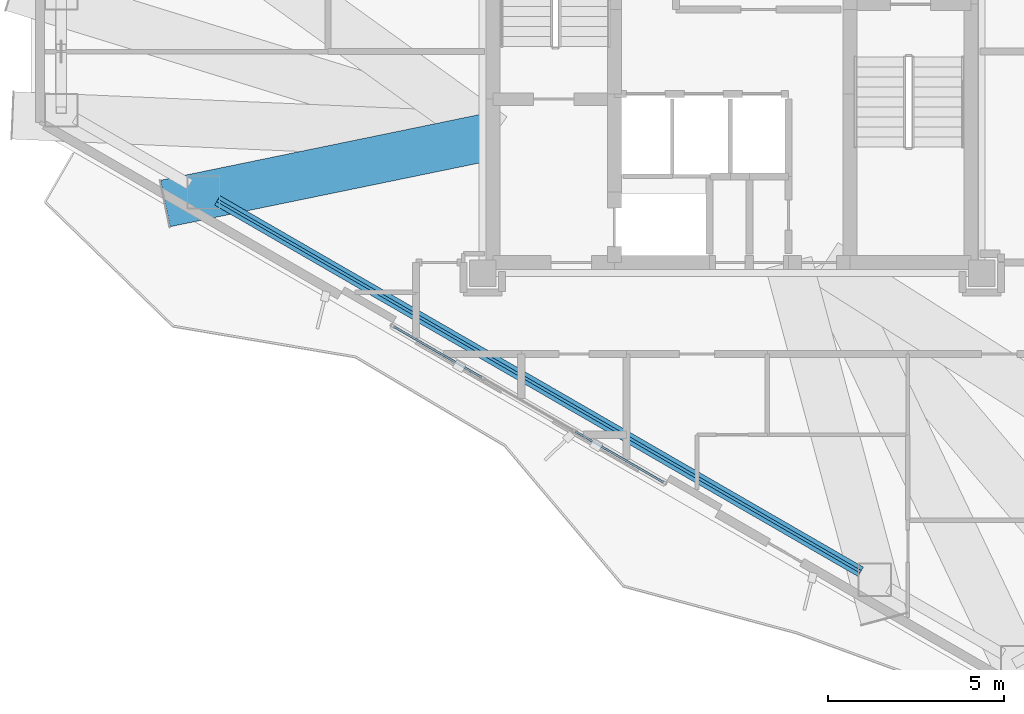
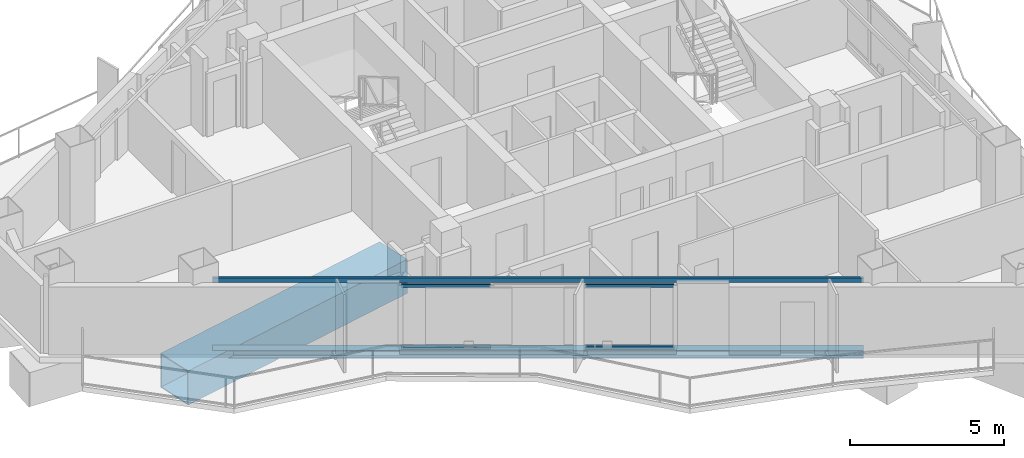
# One storey, part 3 of 19: 4 members, 3 beams, 1 element without a shape of its own.
"""IFC4 building model written with IfcOpenShell, lengths in metres."""

from ifc_helpers import new_model, si_unit, direction, frame, origin, origin_2d, place, context, subcontext, project, spatial, hollow_rectangle, i_section, extrude, material, layer, layer_set, material_profile, profile_set, type_object, element, aggregate, save


model = new_model("IFC4")

# Units and contexts
model_context = context("Model", 3, precision=1e-05, world=origin(), true_north=direction((0.0, 1.0)))
body_context = subcontext(model_context, "Body", "Model", "MODEL_VIEW")
ifc_project = project(units=[si_unit("LENGTHUNIT", "METRE"), si_unit("AREAUNIT", "SQUARE_METRE"), si_unit("VOLUMEUNIT", "CUBIC_METRE"), si_unit("PLANEANGLEUNIT", "RADIAN"), si_unit("MASSUNIT", "GRAM", prefix="KILO")], contexts=[model_context])

# Site, building, storey
site_placement = place(None, origin())
site = spatial("IfcSite", under=ifc_project, at=site_placement, CompositionType="ELEMENT")
building_placement = place(site_placement, origin())
building = spatial("IfcBuilding", under=site, at=building_placement, Name="Mersakhor Tower and Convention Hall", CompositionType="ELEMENT")
storey_placement = place(building_placement, frame((0.0, 0.0, 175.5)))
storey = spatial("IfcBuildingStorey", under=building, at=storey_placement, Name="L48", CompositionType="ELEMENT", Elevation=175.5)

# Beams
ifc_material_1 = material(Name="Steel S355", Category="steel")
ifc_material_profile_1 = material_profile(ifc_material_1, hollow_rectangle(XDim=0.080078125, YDim=0.179931640625, WallThickness=0.008056640625, at=origin_2d()), Name="RHS 180x80x8")
ifc_profile_set_1 = profile_set([ifc_material_profile_1], Name="Steel S355")
beam_type_1 = type_object("IfcBeamType", Name="BM-GRT-RHS180", PredefinedType="USERDEFINED", material=ifc_profile_set_1)
beam_1_placement = place(storey_placement, frame((32.65771484375, 11.949951171875, 2.47998046875), z_axis=(-0.866028813665, 0.499994093867, 0.0), x_axis=(-0.499994093867, -0.866028813665, 0.0)))
element("IfcBeam", 1, at=beam_1_placement, inside=storey, type_object=beam_type_1, Name="L48 Facade Support Girt GRT-F3", ObjectType="GIRT", PredefinedType="USERDEFINED", context=body_context, shape_type="SweptSolid", body=[
    extrude(hollow_rectangle(XDim=0.080078125, YDim=0.179931640625, WallThickness=0.008056640625, at=origin_2d()), origin(), (0.0, 0.0, 1.0), 21.135498046875),
])
ifc_material_2 = material(Name="Steel S355", Category="steel")
ifc_material_profile_2 = material_profile(ifc_material_2, i_section(OverallWidth=0.30908203125, OverallDepth=0.320556640625, WebThickness=0.013916015625, FlangeThickness=0.021728515625, at=origin_2d()), Name="UC 305x305x137")
ifc_profile_set_2 = profile_set([ifc_material_profile_2], Name="Steel S355")
beam_type_2 = type_object("IfcBeamType", Name="BM-SPD-UC305", PredefinedType="SPANDREL", material=ifc_profile_set_2)
beam_2_placement = place(storey_placement, frame((32.65771484375, 11.949951171875, -0.39013671875), z_axis=(-0.866028813665, 0.499994093867, 0.0), x_axis=(-0.499994093867, -0.866028813665, 0.0)))
element("IfcBeam", 2, at=beam_2_placement, inside=storey, type_object=beam_type_2, Name="L48 Perimeter Spandrel Beam SPB-10", PredefinedType="SPANDREL", context=body_context, shape_type="SweptSolid", body=[
    extrude(i_section(OverallWidth=0.30908203125, OverallDepth=0.320556640625, WebThickness=0.013916015625, FlangeThickness=0.021728515625, at=origin_2d()), origin(), (0.0, 0.0, 1.0), 21.135498046875),
])
ifc_material_3 = material(Name="Steel S460", Category="steel")
ifc_material_profile_3 = material_profile(ifc_material_3, hollow_rectangle(XDim=1.35009765625, YDim=1.35009765625, WallThickness=0.035888671875, at=origin_2d()), Name="SHS 1350x1350x36")
ifc_profile_set_3 = profile_set([ifc_material_profile_3], Name="Steel S460")
beam_type_3 = type_object("IfcBeamType", Name="BM-TR-BOX1350", PredefinedType="BEAM", material=ifc_profile_set_3)
beam_3_placement = place(storey_placement, frame((12.8740234375, 22.430419921875, -0.905029296875), z_axis=(0.979464639139, 0.201616022868, 0.0), x_axis=(-0.201616022868, 0.979464639139, 0.0)))
element("IfcBeam", 3, at=beam_3_placement, inside=storey, type_object=beam_type_3, Name="L48 Taper Step Transfer Girder STG-11", PredefinedType="BEAM", context=body_context, shape_type="SweptSolid", body=[
    extrude(hollow_rectangle(XDim=1.35009765625, YDim=1.35009765625, WallThickness=0.035888671875, at=origin_2d()), origin(), (0.0, 0.0, 1.0), 9.521484375),
])

# Curtain wall, members
ifc_material_4 = material(Name="Dark solar low-E aluminium curtain wall", Category="aluminium")
ifc_layer = layer(ifc_material_4, 0.169921875)
ifc_layer_set = layer_set([ifc_layer], Name="Dark solar low-E aluminium curtain wall")
curtain_wall_type = type_object("IfcCurtainWallType", Name="CW-SYS-02", PredefinedType="USERDEFINED", material=ifc_layer_set)
curtain_wall_placement = place(storey_placement, origin())
curtain_wall = element("IfcCurtainWall", 4, at=curtain_wall_placement, inside=storey, type_object=curtain_wall_type, Name="L48 Dark-Glass Curtain Wall F3-B2", ObjectType="CURTAIN WALL", PredefinedType="USERDEFINED")
ifc_material_5 = material(Name="Anodised aluminium EN AW-6063 T6", Category="aluminium")
ifc_material_profile_4 = material_profile(ifc_material_5, hollow_rectangle(XDim=0.06005859375, YDim=0.1201171875, WallThickness=0.0048828125, at=origin_2d()), Name="RHS 120x60x5")
ifc_profile_set_4 = profile_set([ifc_material_profile_4], Name="Anodised aluminium EN AW-6063 T6")
member_type = type_object("IfcMemberType", Name="CWT-120x60", PredefinedType="USERDEFINED", material=ifc_profile_set_4)
member_1_placement = place(storey_placement, frame((27.037353515625, 14.501953125, 0.22998046875), z_axis=(-0.86601237176, 0.50002257145, 0.0), x_axis=(-0.50002257145, -0.86601237176, 0.0)))
member_1 = element("IfcMember", 5, at=member_1_placement, type_object=member_type, Name="CW-02 transom 1.1", ObjectType="TRANSOM", PredefinedType="USERDEFINED", context=body_context, shape_type="SweptSolid", body=[
    extrude(hollow_rectangle(XDim=0.06005859375, YDim=0.1201171875, WallThickness=0.0048828125, at=origin_2d()), origin(), (0.0, 0.0, 1.0), 2.886962890625),
])
member_2_placement = place(storey_placement, frame((27.037353515625, 14.501953125, 2.659912109375), z_axis=(-0.86601237176, 0.50002257145, 0.0), x_axis=(-0.50002257145, -0.86601237176, 0.0)))
member_2 = element("IfcMember", 6, at=member_2_placement, type_object=member_type, Name="CW-02 transom 1.2", ObjectType="TRANSOM", PredefinedType="USERDEFINED", context=body_context, shape_type="SweptSolid", body=[
    extrude(hollow_rectangle(XDim=0.06005859375, YDim=0.1201171875, WallThickness=0.0048828125, at=origin_2d()), origin(), (0.0, 0.0, 1.0), 2.886962890625),
])
member_3_placement = place(storey_placement, frame((21.87451171875, 17.48291015625, 0.22998046875), z_axis=(-0.86601237176, 0.50002257145, 0.0), x_axis=(-0.50002257145, -0.86601237176, 0.0)))
member_3 = element("IfcMember", 7, at=member_3_placement, type_object=member_type, Name="CW-02 transom 3.1", ObjectType="TRANSOM", PredefinedType="USERDEFINED", context=body_context, shape_type="SweptSolid", body=[
    extrude(hollow_rectangle(XDim=0.06005859375, YDim=0.1201171875, WallThickness=0.0048828125, at=origin_2d()), origin(), (0.0, 0.0, 1.0), 2.886962890625),
])
member_4_placement = place(storey_placement, frame((21.87451171875, 17.48291015625, 2.659912109375), z_axis=(-0.86601237176, 0.50002257145, 0.0), x_axis=(-0.50002257145, -0.86601237176, 0.0)))
member_4 = element("IfcMember", 8, at=member_4_placement, type_object=member_type, Name="CW-02 transom 3.2", ObjectType="TRANSOM", PredefinedType="USERDEFINED", context=body_context, shape_type="SweptSolid", body=[
    extrude(hollow_rectangle(XDim=0.06005859375, YDim=0.1201171875, WallThickness=0.0048828125, at=origin_2d()), origin(), (0.0, 0.0, 1.0), 2.886962890625),
])
aggregate(curtain_wall, [member_1, member_2, member_3, member_4])

save(model, "model.ifc")
